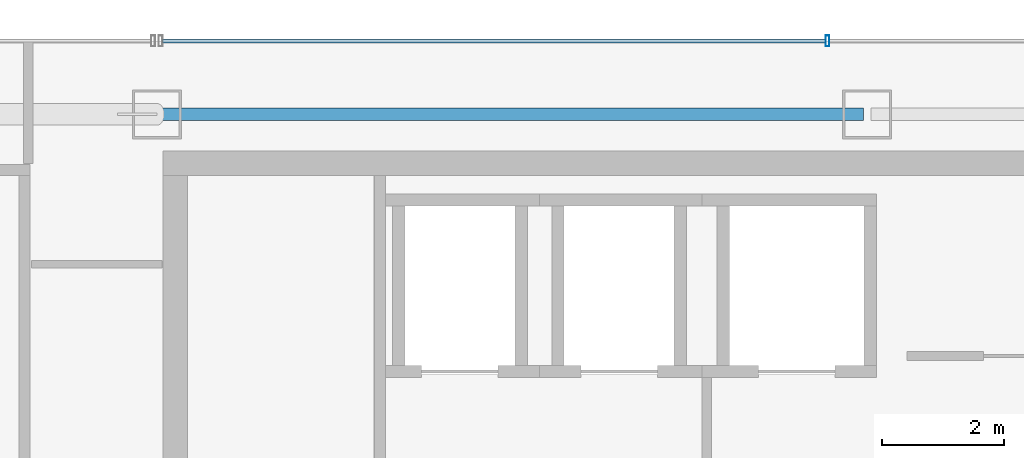
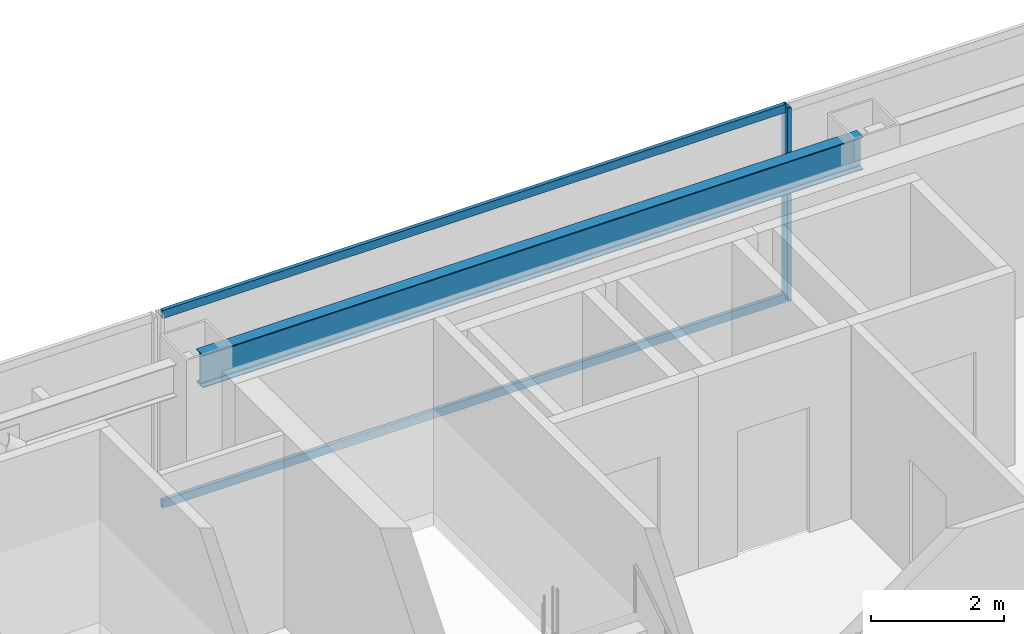
# One storey, part 20 of 33: 3 members, 1 beam, 1 element without a shape of its own.
"""IFC4 building model written with IfcOpenShell, lengths in metres."""

from ifc_helpers import new_model, si_unit, direction, frame, origin, origin_2d, place, context, subcontext, project, spatial, hollow_rectangle, i_section, extrude, material, material_profile, profile_set, type_object, element, aggregate, save


model = new_model("IFC4")

# Units and contexts
model_context = context("Model", 3, precision=1e-05, world=origin(), true_north=direction((0.0, 1.0)))
body_context = subcontext(model_context, "Body", "Model", "MODEL_VIEW")
ifc_project = project(units=[si_unit("LENGTHUNIT", "METRE"), si_unit("AREAUNIT", "SQUARE_METRE"), si_unit("VOLUMEUNIT", "CUBIC_METRE"), si_unit("PLANEANGLEUNIT", "RADIAN"), si_unit("MASSUNIT", "GRAM", prefix="KILO")], contexts=[model_context])

# Site, building, storey
site_placement = place(None, origin())
site = spatial("IfcSite", under=ifc_project, at=site_placement, CompositionType="ELEMENT")
building_placement = place(site_placement, origin())
building = spatial("IfcBuilding", under=site, at=building_placement, Name="Saevonmaru Cultural Tower", CompositionType="ELEMENT")
storey_placement = place(building_placement, frame((0.0, 0.0, 234.39990234375)))
storey = spatial("IfcBuildingStorey", under=building, at=storey_placement, Name="L54", CompositionType="ELEMENT", Elevation=234.39990234375)

# Beam
ifc_material_1 = material(Name="Steel SM355", Category="steel")
ifc_material_profile_1 = material_profile(ifc_material_1, i_section(OverallWidth=0.199951171875, OverallDepth=0.60009765625, WebThickness=0.010986328125, FlangeThickness=0.01708984375, FilletRadius=0.02197265625, at=origin_2d()), Name="H-600x200x11x17")
ifc_profile_set_1 = profile_set([ifc_material_profile_1], Name="Steel SM355")
beam_type = type_object("IfcBeamType", Name="BM-SP-H600", PredefinedType="SPANDREL", material=ifc_profile_set_1)
beam_placement = place(storey_placement, frame((13.659912109375, 54.800048828125, 3.25), z_axis=(1.0, 0.0, 0.0), x_axis=(0.0, 1.0, 0.0)))
element("IfcBeam", 1, at=beam_placement, inside=storey, type_object=beam_type, Name="L54 North Spine Girder 2", PredefinedType="SPANDREL", context=body_context, shape_type="SweptSolid", body=[
    extrude(i_section(OverallWidth=0.199951171875, OverallDepth=0.60009765625, WebThickness=0.010986328125, FlangeThickness=0.01708984375, FilletRadius=0.02197265625, at=origin_2d()), origin(), (0.0, 0.0, 1.0), 11.47998046875),
])

# Curtain wall, members
ifc_material_2 = material(Name="Satin Bronze Anodised Aluminium", Category="aluminium")
curtain_wall_type = type_object("IfcCurtainWallType", Name="CW-TYP-B", PredefinedType="NOTDEFINED", material=ifc_material_2)
curtain_wall_placement = place(storey_placement, origin())
curtain_wall = element("IfcCurtainWall", 2, at=curtain_wall_placement, inside=storey, type_object=curtain_wall_type, Name="L54 North Spine Unitised Curtain Wall E10B", PredefinedType="NOTDEFINED")
ifc_material_profile_2 = material_profile(ifc_material_2, hollow_rectangle(XDim=0.06494140625, YDim=0.179931640625, WallThickness=0.00390625, at=origin_2d()), Name="ALU-MULL-180x65x4")
ifc_profile_set_2 = profile_set([ifc_material_profile_2], Name="Satin Bronze Anodised Aluminium")
member_type_1 = type_object("IfcMemberType", Name="ML-CW-180x65", PredefinedType="MULLION", material=ifc_profile_set_2)
member_1_placement = place(storey_placement, frame((24.55322265625, 56.0, 0.0), z_axis=(0.0, 0.0, 1.0), x_axis=(-1.0, 0.0, 0.0)))
member_1 = element("IfcMember", 3, at=member_1_placement, type_object=member_type_1, Name="CW-TW-L54-E10B mullion 3", PredefinedType="MULLION", context=body_context, shape_type="SweptSolid", body=[
    extrude(hollow_rectangle(XDim=0.06494140625, YDim=0.179931640625, WallThickness=0.00390625, at=origin_2d()), origin(), (0.0, 0.0, 1.0), 3.550048828125),
])
ifc_material_profile_3 = material_profile(ifc_material_2, hollow_rectangle(XDim=0.06494140625, YDim=0.14990234375, WallThickness=0.00390625, at=origin_2d()), Name="ALU-TRAN-150x65x4")
ifc_profile_set_3 = profile_set([ifc_material_profile_3], Name="Satin Bronze Anodised Aluminium")
member_type_2 = type_object("IfcMemberType", Name="TR-CW-150x65", PredefinedType="USERDEFINED", material=ifc_profile_set_3)
member_2_placement = place(storey_placement, frame((24.520751953125, 56.0, 0.03271484375), z_axis=(-1.0, 0.0, 0.0), x_axis=(0.0, -1.0, 0.0)))
member_2 = element("IfcMember", 4, at=member_2_placement, type_object=member_type_2, Name="CW-TW-L54-E10B transom 3.1", ObjectType="TRANSOM", PredefinedType="USERDEFINED", context=body_context, shape_type="SweptSolid", body=[
    extrude(hollow_rectangle(XDim=0.06494140625, YDim=0.14990234375, WallThickness=0.00390625, at=origin_2d()), origin(), (0.0, 0.0, 1.0), 10.828369140625),
])
member_3_placement = place(storey_placement, frame((24.520751953125, 56.0, 3.517578125), z_axis=(-1.0, 0.0, 0.0), x_axis=(0.0, -1.0, 0.0)))
member_3 = element("IfcMember", 5, at=member_3_placement, type_object=member_type_2, Name="CW-TW-L54-E10B transom 3.2", ObjectType="TRANSOM", PredefinedType="USERDEFINED", context=body_context, shape_type="SweptSolid", body=[
    extrude(hollow_rectangle(XDim=0.06494140625, YDim=0.14990234375, WallThickness=0.00390625, at=origin_2d()), origin(), (0.0, 0.0, 1.0), 10.828369140625),
])
aggregate(curtain_wall, [member_1, member_2, member_3])

save(model, "model.ifc")
